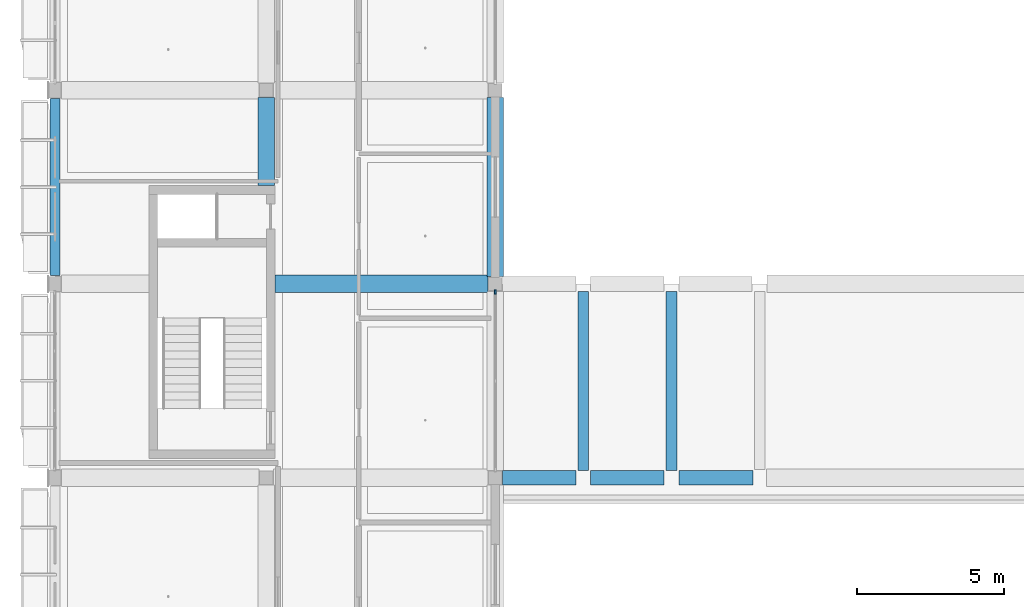
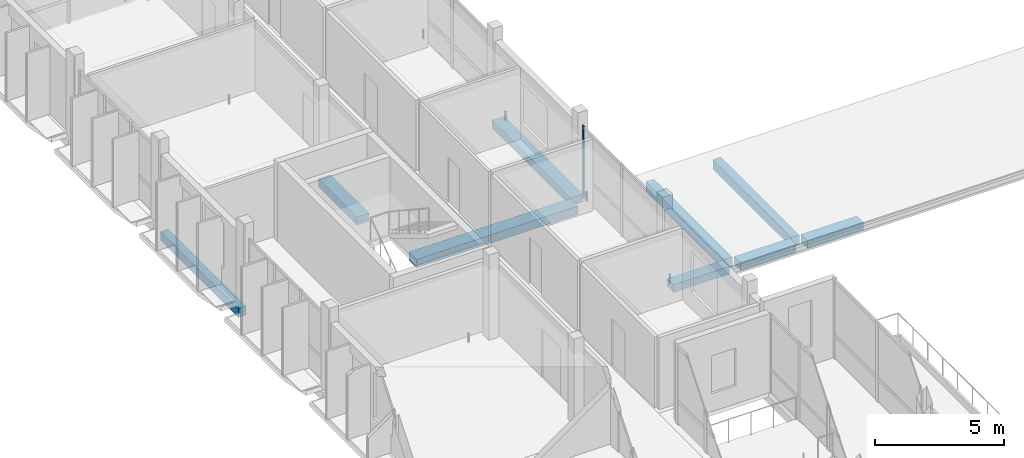
# One storey, part 9 of 86: 9 beams, 1 member, 1 element without a shape of its own.
"""IFC4 building model written with IfcOpenShell, lengths in metres."""

import ifcopenshell
import ifcopenshell.guid

model = None  # the IFC model being written
_history = None  # IfcOwnerHistory: only IFC2X3 demands one
_inside = {}  # id of a spatial element -> (the spatial element, [elements in it])
_under = {}  # id of a project, library or spatial element -> (it, [spatial elements below it])
_declared = {}  # id of a project -> (the project, [libraries it declares])
_typed = {}  # id of a type object -> (the type object, [elements of that type])
_made_of = {}  # id of a material, layer set ... -> (it, [elements and type objects made of it])


def new_model(schema):
    """Start an empty IFC model of exactly this schema.

    Asked for "IFC4X3", IfcOpenShell would pick the latest addendum, in which some entities
    have other attributes; the version numbers below select the first issue.
    IFC2X3 requires an IfcOwnerHistory on every rooted entity: one is made here for all.
    """
    global model, _history
    if schema == "IFC4X3":
        model = ifcopenshell.file(schema_version=(4, 3, 0, 0))
    else:
        model = ifcopenshell.file(schema=schema)
    _inside.clear()
    _under.clear()
    _declared.clear()
    _typed.clear()
    _made_of.clear()
    _history = None
    if model.schema == "IFC2X3":
        org = make("IfcOrganization", Name="unknown")
        user = make(
            "IfcPersonAndOrganization",
            ThePerson=make("IfcPerson", FamilyName="unknown"),
            TheOrganization=org,
        )
        app = make(
            "IfcApplication",
            ApplicationDeveloper=org,
            Version="unknown",
            ApplicationFullName="unknown",
            ApplicationIdentifier="unknown",
        )
        _history = make(
            "IfcOwnerHistory",
            OwningUser=user,
            OwningApplication=app,
            ChangeAction="ADDED",
            CreationDate=0,
        )
    return model


def make(cls, **values):
    """One entity of the class cls with the attributes given. An attribute that is None is left unset."""
    return model.create_entity(
        cls, **{name: value for name, value in values.items() if value is not None}
    )


def rooted(cls, **values):
    """An entity with a GlobalId (a new one), such as an element, a storey or a relation."""
    return make(cls, GlobalId=ifcopenshell.guid.new(), OwnerHistory=_history, **values)


def si_unit(unit_type, name, prefix=None):
    """IfcSIUnit, for example si_unit("LENGTHUNIT", "METRE", prefix="MILLI")."""
    return make("IfcSIUnit", UnitType=unit_type, Prefix=prefix, Name=name)


def derived_unit(unit_type, elements):
    """IfcDerivedUnit: a product of units, each with its exponent."""
    return make(
        "IfcDerivedUnit",
        Elements=[
            make("IfcDerivedUnitElement", Unit=unit, Exponent=power)
            for unit, power in elements
        ],
        UnitType=unit_type,
    )


def assignment(units):
    """IfcUnitAssignment: the units of a project."""
    return None if units is None else make("IfcUnitAssignment", Units=units)


def point(xyz):
    """IfcCartesianPoint."""
    return None if xyz is None else make("IfcCartesianPoint", Coordinates=xyz)


def direction(xyz):
    """IfcDirection."""
    return None if xyz is None else make("IfcDirection", DirectionRatios=xyz)


def frame(location, z_axis=None, x_axis=None):
    """IfcAxis2Placement3D, a coordinate frame: its origin and axes. An axis left out is left unset."""
    return make(
        "IfcAxis2Placement3D",
        Location=point(location),
        Axis=direction(z_axis),
        RefDirection=direction(x_axis),
    )


def frame_2d(location, x_axis=None):
    """IfcAxis2Placement2D, a coordinate frame in the plane: its origin and x axis."""
    return make(
        "IfcAxis2Placement2D", Location=point(location), RefDirection=direction(x_axis)
    )


def origin():
    """The frame at (0, 0, 0) with its axes left unset."""
    return frame((0.0, 0.0, 0.0))


def origin_2d():
    """The frame at (0, 0) in the plane with its x axis left unset."""
    return frame_2d((0.0, 0.0))


def place(relative_to, where):
    """IfcLocalPlacement: puts the frame where relative to a parent placement (None: the world)."""
    return make(
        "IfcLocalPlacement", PlacementRelTo=relative_to, RelativePlacement=where
    )


def context(
    kind, dimensions, precision=None, world=None, true_north=None, identifier=None
):
    """IfcGeometricRepresentationContext, for example the 3D "Model" context."""
    return make(
        "IfcGeometricRepresentationContext",
        ContextIdentifier=identifier,
        ContextType=kind,
        CoordinateSpaceDimension=dimensions,
        Precision=precision,
        WorldCoordinateSystem=world,
        TrueNorth=true_north,
    )


def subcontext(parent, identifier, kind, view, scale=None):
    """IfcGeometricRepresentationSubContext, for example "Body" below "Model"."""
    return make(
        "IfcGeometricRepresentationSubContext",
        ContextIdentifier=identifier,
        ContextType=kind,
        ParentContext=parent,
        TargetScale=scale,
        TargetView=view,
    )


def project(units=None, contexts=None):
    """IfcProject with its units and contexts."""
    return rooted(
        "IfcProject",
        Name="project",
        RepresentationContexts=contexts,
        UnitsInContext=assignment(units),
    )


def spatial(cls, under=None, at=None, **own):
    """A site, building, storey or space (cls), placed at a placement, below another one or the project."""
    s = rooted(cls, ObjectPlacement=at, **own)
    if under is not None:
        _under.setdefault(under.id(), (under, []))[1].append(s)
    return s


def profile(cls, at=None, kind="AREA", **sizes):
    """A parametric profile (cls). Its sizes go by their IFC names, for example OverallWidth=200.0."""
    return make(cls, ProfileType=kind, Position=at, **sizes)


def rectangle(**sizes):
    """IfcRectangleProfileDef."""
    return profile("IfcRectangleProfileDef", **sizes)


def extrude(swept, where, along, depth):
    """IfcExtrudedAreaSolid: the profile swept, set in the frame where, extruded along a direction by depth."""
    return make(
        "IfcExtrudedAreaSolid",
        SweptArea=swept,
        Position=where,
        ExtrudedDirection=direction(along),
        Depth=depth,
    )


def shape(context_of_items, identifier, shape_type, items):
    """IfcShapeRepresentation: the items that make up one representation, for example the "Body"."""
    return make(
        "IfcShapeRepresentation",
        ContextOfItems=context_of_items,
        RepresentationIdentifier=identifier,
        RepresentationType=shape_type,
        Items=items,
    )


def material(Name=None, Category=None):
    """IfcMaterial."""
    return make("IfcMaterial", Name=Name, Category=Category)


def material_profile(
    of_material, cross_section, Name=None, Category=None, Priority=None
):
    """IfcMaterialProfile: a cross section and its material."""
    return make(
        "IfcMaterialProfile",
        Name=Name,
        Material=of_material,
        Profile=cross_section,
        Priority=Priority,
        Category=Category,
    )


def profile_set(profiles, Name=None, composite=None):
    """IfcMaterialProfileSet."""
    return make(
        "IfcMaterialProfileSet",
        Name=Name,
        MaterialProfiles=profiles,
        CompositeProfile=composite,
    )


def made_of(thing, what):
    """Note that an element or type object is made of a material, layer set ...; save() writes the relation."""
    if what is not None:
        _made_of.setdefault(what.id(), (what, []))[1].append(thing)
    return thing


def type_object(cls, material=None, **own):
    """A type object (cls), such as IfcWallType, which elements share."""
    return made_of(rooted(cls, **own), material)


def element(
    cls,
    number,
    at=None,
    inside=None,
    cuts=None,
    type_object=None,
    material=None,
    context=None,
    identifier="Body",
    shape_type=None,
    held_by="IfcProductDefinitionShape",
    body=None,
    shapes=None,
    **own,
):
    """One element of the class cls, such as IfcWall. Its Tag is "e" and its number.

    at: its placement. inside: the storey or other place that contains it. cuts: it is an
    opening in that element (IfcRelVoidsElement). A single representation is given by context,
    identifier, shape_type and body (its items); several are given by shapes. held_by: the class
    of the entity that holds the representations. save() writes the other relations.
    """
    e = rooted(cls, Tag="e%d" % number, ObjectPlacement=at, **own)
    if body is not None:
        shapes = [shape(context, identifier, shape_type, body)]
    if shapes is not None:
        e.Representation = make(held_by, Representations=shapes)
    if inside is not None:
        _inside.setdefault(inside.id(), (inside, []))[1].append(e)
    if cuts is not None:
        rooted(
            "IfcRelVoidsElement", RelatingBuildingElement=cuts, RelatedOpeningElement=e
        )
    if type_object is not None:
        _typed.setdefault(type_object.id(), (type_object, []))[1].append(e)
    return made_of(e, material)


def aggregate(whole, parts):
    """IfcRelAggregates: a whole, such as a stair, and the parts it consists of."""
    return rooted("IfcRelAggregates", RelatingObject=whole, RelatedObjects=parts)


def save(model, path):
    """Write the relations noted so far, then the file.

    IfcRelAggregates (storeys below a building ...), IfcRelContainedInSpatialStructure (elements
    in a storey), IfcRelDefinesByType, IfcRelAssociatesMaterial and IfcRelDeclares: one each for
    every whole, place, type object, material and project.
    """
    for whole, parts in _under.values():
        aggregate(whole, parts)
    for where, things in _inside.values():
        rooted(
            "IfcRelContainedInSpatialStructure",
            RelatedElements=things,
            RelatingStructure=where,
        )
    for kind, things in _typed.values():
        rooted("IfcRelDefinesByType", RelatedObjects=things, RelatingType=kind)
    for what, things in _made_of.values():
        rooted("IfcRelAssociatesMaterial", RelatedObjects=things, RelatingMaterial=what)
    for by, libraries in _declared.values():
        rooted("IfcRelDeclares", RelatingContext=by, RelatedDefinitions=libraries)
    model.write(path)


model = new_model("IFC4")

# Units and contexts
model_context = context("Model", 3, precision=1e-05, world=origin(), true_north=direction((0.0, 1.0)))
body_context = subcontext(model_context, "Body", "Model", "MODEL_VIEW")
ifc_project = project(units=[si_unit("LENGTHUNIT", "METRE"), si_unit("AREAUNIT", "SQUARE_METRE"), si_unit("VOLUMEUNIT", "CUBIC_METRE"), si_unit("PLANEANGLEUNIT", "RADIAN"), si_unit("MASSUNIT", "GRAM", prefix="KILO"), derived_unit("THERMALTRANSMITTANCEUNIT", [(si_unit("POWERUNIT", "WATT"), 1), (si_unit("LENGTHUNIT", "METRE"), -2), (si_unit("THERMODYNAMICTEMPERATUREUNIT", "KELVIN"), -1)])], contexts=[model_context])

# Site, building, storey
site_placement = place(None, origin())
site = spatial("IfcSite", under=ifc_project, at=site_placement, CompositionType="ELEMENT")
building_placement = place(site_placement, origin())
building = spatial("IfcBuilding", under=site, at=building_placement, Name="Braskholm Square Health Centre", CompositionType="ELEMENT")
storey_placement = place(building_placement, frame((0.0, 0.0, 13.5)))
storey = spatial("IfcBuildingStorey", under=building, at=storey_placement, Name="L04", CompositionType="ELEMENT", Elevation=13.5)

# Curtain wall, member
ifc_material_1 = material(Name="Low-E triple insulating glass (VLT 0.64)", Category="glass")
curtain_wall_type = type_object("IfcCurtainWallType", Name="UnitisedCurtainWall6200x3650", PredefinedType="NOTDEFINED", material=ifc_material_1)
curtain_wall_placement = place(storey_placement, origin())
curtain_wall = element("IfcCurtainWall", 1, at=curtain_wall_placement, inside=storey, type_object=curtain_wall_type, Name="West Valley unitised curtain wall CW-L04-0100", PredefinedType="NOTDEFINED")
ifc_material_2 = material(Name="Architectural bronze anodised aluminium", Category="aluminium")
ifc_material_profile_1 = material_profile(ifc_material_2, rectangle(XDim=0.06494140625, YDim=0.14990234375, at=origin_2d()), Name="ALU-65X150")
ifc_profile_set_1 = profile_set([ifc_material_profile_1], Name="Architectural bronze anodised aluminium")
member_type = type_object("IfcMemberType", Name="CurtainWallMullion65x150", PredefinedType="MULLION", material=ifc_profile_set_1)
member_placement = place(storey_placement, frame((19.199951171875, 93.523193359375, 0.0), z_axis=(0.0, 0.0, 1.0), x_axis=(1.0, 0.0, 0.0)))
member = element("IfcMember", 2, at=member_placement, type_object=member_type, Name="CW-L04-0100 vertical mullion 3", PredefinedType="MULLION", context=body_context, shape_type="SweptSolid", body=[
    extrude(rectangle(XDim=0.06494140625, YDim=0.14990234375, at=origin_2d()), origin(), (0.0, 0.0, 1.0), 3.419921875),
])
aggregate(curtain_wall, [member])

# Beams
ifc_material_3 = material(Name="Concrete C35/45 (f'c = 35 MPa)", Category="concrete")
ifc_material_profile_2 = material_profile(ifc_material_3, rectangle(XDim=0.5, YDim=0.360107421875, at=origin_2d()), Name="RCB-500X360")
ifc_profile_set_2 = profile_set([ifc_material_profile_2], Name="Concrete C35/45 (f'c = 35 MPa)")
beam_type_1 = type_object("IfcBeamType", Name="PrimaryBandBeam500x360", PredefinedType="BEAM", material=ifc_profile_set_2)
for number, where, z_axis, x_axis, name in (
    (3, (19.449951171875, 87.199951171875, -0.429931640625), (1.0, 0.0, 0.0), (0.0, 1.0, 0.0), "Beam 3-4/N L04"),
    (4, (22.449951171875, 87.199951171875, -0.429931640625), (1.0, 0.0, 0.0), (0.0, 1.0, 0.0), "Beam 4-5/N L04"),
):
    element("IfcBeam", number, at=place(storey_placement, frame(where, z_axis=z_axis, x_axis=x_axis)), inside=storey, type_object=beam_type_1, Name=name, PredefinedType="BEAM", context=body_context, shape_type="SweptSolid", body=[
        extrude(rectangle(XDim=0.5, YDim=0.360107421875, at=origin_2d()), origin(), (0.0, 0.0, 1.0), 2.5),
    ])
beam_1_placement = place(storey_placement, frame((25.449951171875, 87.199951171875, -0.429931640625), z_axis=(1.0, 0.0, 0.0), x_axis=(0.0, 1.0, 0.0)))
element("IfcBeam", 5, at=beam_1_placement, inside=storey, type_object=beam_type_1, Name="Beam 5-6/N L04", PredefinedType="BEAM", context=body_context, shape_type="SweptSolid", body=[
    extrude(rectangle(XDim=0.5, YDim=0.360107421875, at=origin_2d()), origin(), (0.0, 0.0, 1.0), 2.52001953125),
])
ifc_material_profile_3 = material_profile(ifc_material_3, rectangle(XDim=0.550048828125, YDim=0.3798828125, at=origin_2d()), Name="RCB-550X380")
ifc_profile_set_3 = profile_set([ifc_material_profile_3], Name="Concrete C35/45 (f'c = 35 MPa)")
beam_type_2 = type_object("IfcBeamType", Name="PrimaryBandBeam550x380", PredefinedType="BEAM", material=ifc_profile_set_3)
beam_2_placement = place(storey_placement, frame((11.39990234375, 97.14990234375, -0.489990234375), z_axis=(0.0, 1.0, 0.0), x_axis=(-1.0, 0.0, 0.0)))
element("IfcBeam", 6, at=beam_2_placement, inside=storey, type_object=beam_type_2, Name="Beam 2/N-Q L04", PredefinedType="BEAM", context=body_context, shape_type="SweptSolid", body=[
    extrude(rectangle(XDim=0.550048828125, YDim=0.3798828125, at=origin_2d()), origin(), (0.0, 0.0, 1.0), 3.0),
])
beam_3_placement = place(storey_placement, frame((19.199951171875, 94.050048828125, -0.43994140625), z_axis=(0.0, 1.0, 0.0), x_axis=(-1.0, 0.0, 0.0)))
element("IfcBeam", 7, at=beam_3_placement, inside=storey, type_object=beam_type_2, Name="Beam 3/P-Q L04", PredefinedType="BEAM", context=body_context, shape_type="SweptSolid", body=[
    extrude(rectangle(XDim=0.550048828125, YDim=0.3798828125, at=origin_2d()), origin(), (0.0, 0.0, 1.0), 6.099853515625),
])
ifc_material_profile_4 = material_profile(ifc_material_3, rectangle(XDim=0.60009765625, YDim=0.39990234375, at=origin_2d()), Name="RCB-600X400")
ifc_profile_set_4 = profile_set([ifc_material_profile_4], Name="Concrete C35/45 (f'c = 35 MPa)")
beam_type_3 = type_object("IfcBeamType", Name="PrimaryBandBeam600x400", PredefinedType="BEAM", material=ifc_profile_set_4)
beam_4_placement = place(storey_placement, frame((11.699951171875, 93.800048828125, -0.5), z_axis=(1.0, 0.0, 0.0), x_axis=(0.0, 1.0, 0.0)))
element("IfcBeam", 8, at=beam_4_placement, inside=storey, type_object=beam_type_3, Name="Beam 1-3/P L04", PredefinedType="BEAM", context=body_context, shape_type="SweptSolid", body=[
    extrude(rectangle(XDim=0.60009765625, YDim=0.39990234375, at=origin_2d()), origin(), (0.0, 0.0, 1.0), 7.25),
])
ifc_material_4 = material(Name="Precast concrete C40/50 architectural white", Category="concrete")
ifc_material_profile_5 = material_profile(ifc_material_4, rectangle(XDim=0.340087890625, YDim=0.419921875, at=origin_2d()), Name="RCB-340X420")
ifc_profile_set_5 = profile_set([ifc_material_profile_5], Name="Precast concrete C40/50 architectural white")
beam_type_4 = type_object("IfcBeamType", Name="SpandrelCrownEdge340x420", PredefinedType="SPANDREL", material=ifc_profile_set_5)
beam_5_placement = place(storey_placement, frame((4.199951171875, 94.080078125, -0.510009765625), z_axis=(0.0, 1.0, 0.0), x_axis=(-1.0, 0.0, 0.0)))
element("IfcBeam", 9, at=beam_5_placement, inside=storey, type_object=beam_type_4, Name="Beam 1/P-Q L04", PredefinedType="SPANDREL", context=body_context, shape_type="SweptSolid", body=[
    extrude(rectangle(XDim=0.340087890625, YDim=0.419921875, at=origin_2d()), origin(), (0.0, 0.0, 1.0), 6.0400390625),
])
ifc_material_profile_6 = material_profile(ifc_material_4, rectangle(XDim=0.360107421875, YDim=0.4599609375, at=origin_2d()), Name="RCB-360X460")
ifc_profile_set_6 = profile_set([ifc_material_profile_6], Name="Precast concrete C40/50 architectural white")
beam_type_5 = type_object("IfcBeamType", Name="SpandrelTerraceEdge360x460", PredefinedType="SPANDREL", material=ifc_profile_set_6)
for number, where, z_axis, x_axis, name in (
    (10, (22.199951171875, 87.449951171875, -0.47998046875), (0.0, 1.0, 0.0), (-1.0, 0.0, 0.0), "Beam 4/N-P L04"),
    (11, (25.199951171875, 87.449951171875, -0.47998046875), (0.0, 1.0, 0.0), (-1.0, 0.0, 0.0), "Beam 5/N-P L04"),
):
    element("IfcBeam", number, at=place(storey_placement, frame(where, z_axis=z_axis, x_axis=x_axis)), inside=storey, type_object=beam_type_5, Name=name, PredefinedType="SPANDREL", context=body_context, shape_type="SweptSolid", body=[
        extrude(rectangle(XDim=0.360107421875, YDim=0.4599609375, at=origin_2d()), origin(), (0.0, 0.0, 1.0), 6.10009765625),
    ])

save(model, "model.ifc")
